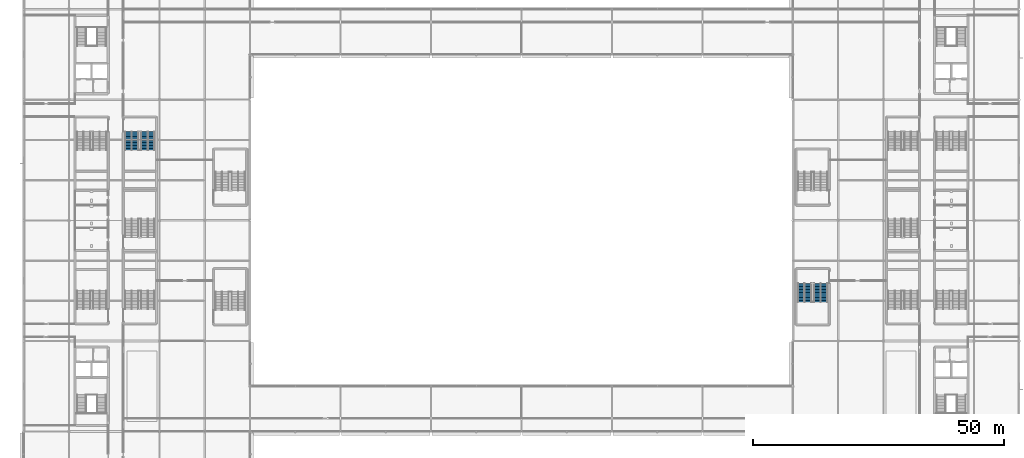
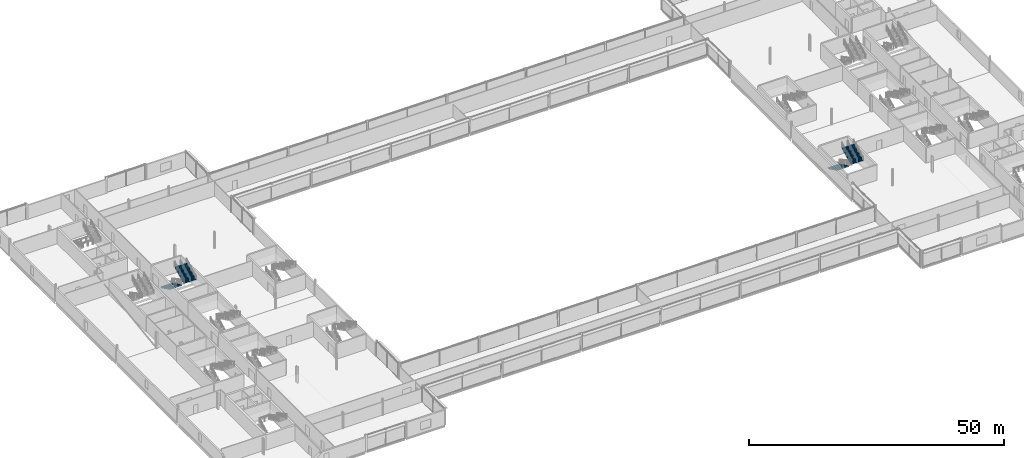
# One storey, part 83 of 96: 4 stair flights, 2 elements without a shape of their own.
"""IFC4 building model written with IfcOpenShell, lengths in metres."""

import ifcopenshell
import ifcopenshell.guid

model = None  # the IFC model being written
_history = None  # IfcOwnerHistory: only IFC2X3 demands one
_inside = {}  # id of a spatial element -> (the spatial element, [elements in it])
_under = {}  # id of a project, library or spatial element -> (it, [spatial elements below it])
_declared = {}  # id of a project -> (the project, [libraries it declares])
_typed = {}  # id of a type object -> (the type object, [elements of that type])
_made_of = {}  # id of a material, layer set ... -> (it, [elements and type objects made of it])


def new_model(schema):
    """Start an empty IFC model of exactly this schema.

    Asked for "IFC4X3", IfcOpenShell would pick the latest addendum, in which some entities
    have other attributes; the version numbers below select the first issue.
    IFC2X3 requires an IfcOwnerHistory on every rooted entity: one is made here for all.
    """
    global model, _history
    if schema == "IFC4X3":
        model = ifcopenshell.file(schema_version=(4, 3, 0, 0))
    else:
        model = ifcopenshell.file(schema=schema)
    _inside.clear()
    _under.clear()
    _declared.clear()
    _typed.clear()
    _made_of.clear()
    _history = None
    if model.schema == "IFC2X3":
        org = make("IfcOrganization", Name="unknown")
        user = make(
            "IfcPersonAndOrganization",
            ThePerson=make("IfcPerson", FamilyName="unknown"),
            TheOrganization=org,
        )
        app = make(
            "IfcApplication",
            ApplicationDeveloper=org,
            Version="unknown",
            ApplicationFullName="unknown",
            ApplicationIdentifier="unknown",
        )
        _history = make(
            "IfcOwnerHistory",
            OwningUser=user,
            OwningApplication=app,
            ChangeAction="ADDED",
            CreationDate=0,
        )
    return model


def make(cls, **values):
    """One entity of the class cls with the attributes given. An attribute that is None is left unset."""
    return model.create_entity(
        cls, **{name: value for name, value in values.items() if value is not None}
    )


def rooted(cls, **values):
    """An entity with a GlobalId (a new one), such as an element, a storey or a relation."""
    return make(cls, GlobalId=ifcopenshell.guid.new(), OwnerHistory=_history, **values)


def si_unit(unit_type, name, prefix=None):
    """IfcSIUnit, for example si_unit("LENGTHUNIT", "METRE", prefix="MILLI")."""
    return make("IfcSIUnit", UnitType=unit_type, Prefix=prefix, Name=name)


def assignment(units):
    """IfcUnitAssignment: the units of a project."""
    return None if units is None else make("IfcUnitAssignment", Units=units)


def point(xyz):
    """IfcCartesianPoint."""
    return None if xyz is None else make("IfcCartesianPoint", Coordinates=xyz)


def direction(xyz):
    """IfcDirection."""
    return None if xyz is None else make("IfcDirection", DirectionRatios=xyz)


def frame(location, z_axis=None, x_axis=None):
    """IfcAxis2Placement3D, a coordinate frame: its origin and axes. An axis left out is left unset."""
    return make(
        "IfcAxis2Placement3D",
        Location=point(location),
        Axis=direction(z_axis),
        RefDirection=direction(x_axis),
    )


def origin():
    """The frame at (0, 0, 0) with its axes left unset."""
    return frame((0.0, 0.0, 0.0))


def place(relative_to, where):
    """IfcLocalPlacement: puts the frame where relative to a parent placement (None: the world)."""
    return make(
        "IfcLocalPlacement", PlacementRelTo=relative_to, RelativePlacement=where
    )


def context(
    kind, dimensions, precision=None, world=None, true_north=None, identifier=None
):
    """IfcGeometricRepresentationContext, for example the 3D "Model" context."""
    return make(
        "IfcGeometricRepresentationContext",
        ContextIdentifier=identifier,
        ContextType=kind,
        CoordinateSpaceDimension=dimensions,
        Precision=precision,
        WorldCoordinateSystem=world,
        TrueNorth=true_north,
    )


def subcontext(parent, identifier, kind, view, scale=None):
    """IfcGeometricRepresentationSubContext, for example "Body" below "Model"."""
    return make(
        "IfcGeometricRepresentationSubContext",
        ContextIdentifier=identifier,
        ContextType=kind,
        ParentContext=parent,
        TargetScale=scale,
        TargetView=view,
    )


def project(units=None, contexts=None):
    """IfcProject with its units and contexts."""
    return rooted(
        "IfcProject",
        Name="project",
        RepresentationContexts=contexts,
        UnitsInContext=assignment(units),
    )


def spatial(cls, under=None, at=None, **own):
    """A site, building, storey or space (cls), placed at a placement, below another one or the project."""
    s = rooted(cls, ObjectPlacement=at, **own)
    if under is not None:
        _under.setdefault(under.id(), (under, []))[1].append(s)
    return s


def point_list(points):
    """IfcCartesianPointList2D or 3D."""
    cls = (
        "IfcCartesianPointList2D" if len(points[0]) == 2 else "IfcCartesianPointList3D"
    )
    return make(cls, CoordList=points)


def polygons(points, faces, closed=None, point_numbers=None):
    """IfcPolygonalFaceSet: a face is its outer loop, then its inner loops; points numbered from 1."""
    made = []
    for loops in faces:
        if len(loops) == 1:
            made.append(make("IfcIndexedPolygonalFace", CoordIndex=loops[0]))
        else:
            made.append(
                make(
                    "IfcIndexedPolygonalFaceWithVoids",
                    CoordIndex=loops[0],
                    InnerCoordIndices=loops[1:],
                )
            )
    return make(
        "IfcPolygonalFaceSet",
        Coordinates=point_list(points),
        Closed=closed,
        Faces=made,
        PnIndex=point_numbers,
    )


def shape(context_of_items, identifier, shape_type, items):
    """IfcShapeRepresentation: the items that make up one representation, for example the "Body"."""
    return make(
        "IfcShapeRepresentation",
        ContextOfItems=context_of_items,
        RepresentationIdentifier=identifier,
        RepresentationType=shape_type,
        Items=items,
    )


def material(Name=None, Category=None):
    """IfcMaterial."""
    return make("IfcMaterial", Name=Name, Category=Category)


def made_of(thing, what):
    """Note that an element or type object is made of a material, layer set ...; save() writes the relation."""
    if what is not None:
        _made_of.setdefault(what.id(), (what, []))[1].append(thing)
    return thing


def type_object(cls, material=None, **own):
    """A type object (cls), such as IfcWallType, which elements share."""
    return made_of(rooted(cls, **own), material)


def element(
    cls,
    number,
    at=None,
    inside=None,
    cuts=None,
    type_object=None,
    material=None,
    context=None,
    identifier="Body",
    shape_type=None,
    held_by="IfcProductDefinitionShape",
    body=None,
    shapes=None,
    **own,
):
    """One element of the class cls, such as IfcWall. Its Tag is "e" and its number.

    at: its placement. inside: the storey or other place that contains it. cuts: it is an
    opening in that element (IfcRelVoidsElement). A single representation is given by context,
    identifier, shape_type and body (its items); several are given by shapes. held_by: the class
    of the entity that holds the representations. save() writes the other relations.
    """
    e = rooted(cls, Tag="e%d" % number, ObjectPlacement=at, **own)
    if body is not None:
        shapes = [shape(context, identifier, shape_type, body)]
    if shapes is not None:
        e.Representation = make(held_by, Representations=shapes)
    if inside is not None:
        _inside.setdefault(inside.id(), (inside, []))[1].append(e)
    if cuts is not None:
        rooted(
            "IfcRelVoidsElement", RelatingBuildingElement=cuts, RelatedOpeningElement=e
        )
    if type_object is not None:
        _typed.setdefault(type_object.id(), (type_object, []))[1].append(e)
    return made_of(e, material)


def aggregate(whole, parts):
    """IfcRelAggregates: a whole, such as a stair, and the parts it consists of."""
    return rooted("IfcRelAggregates", RelatingObject=whole, RelatedObjects=parts)


def save(model, path):
    """Write the relations noted so far, then the file.

    IfcRelAggregates (storeys below a building ...), IfcRelContainedInSpatialStructure (elements
    in a storey), IfcRelDefinesByType, IfcRelAssociatesMaterial and IfcRelDeclares: one each for
    every whole, place, type object, material and project.
    """
    for whole, parts in _under.values():
        aggregate(whole, parts)
    for where, things in _inside.values():
        rooted(
            "IfcRelContainedInSpatialStructure",
            RelatedElements=things,
            RelatingStructure=where,
        )
    for kind, things in _typed.values():
        rooted("IfcRelDefinesByType", RelatedObjects=things, RelatingType=kind)
    for what, things in _made_of.values():
        rooted("IfcRelAssociatesMaterial", RelatedObjects=things, RelatingMaterial=what)
    for by, libraries in _declared.values():
        rooted("IfcRelDeclares", RelatingContext=by, RelatedDefinitions=libraries)
    model.write(path)


model = new_model("IFC4")

# Units and contexts
model_context = context("Model", 3, precision=1e-05, world=origin(), true_north=direction((0.0, 1.0)))
body_context = subcontext(model_context, "Body", "Model", "MODEL_VIEW")
ifc_project = project(units=[si_unit("LENGTHUNIT", "METRE"), si_unit("AREAUNIT", "SQUARE_METRE"), si_unit("VOLUMEUNIT", "CUBIC_METRE"), si_unit("PLANEANGLEUNIT", "RADIAN"), si_unit("MASSUNIT", "GRAM", prefix="KILO")], contexts=[model_context])

# Site, building, storey
site_placement = place(None, origin())
site = spatial("IfcSite", under=ifc_project, at=site_placement, CompositionType="ELEMENT")
building_placement = place(site_placement, origin())
building = spatial("IfcBuilding", under=site, at=building_placement, Name="Kisiwana Market Hall", CompositionType="ELEMENT")
storey_placement = place(building_placement, frame((0.0, 0.0, 25.5)))
storey = spatial("IfcBuildingStorey", under=building, at=storey_placement, Name="L05", CompositionType="ELEMENT", Elevation=25.5)

# Stair, stair flights
ifc_material_1 = material(Name="Concrete C32/40", Category="concrete")
stair_type = type_object("IfcStairType", Name="ST-ESC-3900", PredefinedType="TWO_STRAIGHT_RUN_STAIR", material=ifc_material_1)
stair_1_placement = place(storey_placement, origin())
stair_1 = element("IfcStair", 1, at=stair_1_placement, inside=storey, type_object=stair_type, Name="Escape stair ST-W8-L05", PredefinedType="TWO_STRAIGHT_RUN_STAIR")
ifc_material_2 = material(Name="Concrete C32/40", Category="concrete")
stair_flight_type = type_object("IfcStairFlightType", Name="SF-ESC-3900", PredefinedType="STRAIGHT", material=ifc_material_2)
stair_flight_1_placement = place(storey_placement, frame((21.489990234375, 77.639892578125, 0.0), z_axis=(0.0, 0.0, 1.0), x_axis=(0.0, -1.0, 0.0)))
stair_flight_1 = element("IfcStairFlight", 2, at=stair_flight_1_placement, type_object=stair_flight_type, Name="ST-W8-L05 flight 1", NumberOfRisers=13, NumberOfTreads=12, PredefinedType="STRAIGHT", RiserHeight=0.15, TreadLength=0.305, context=body_context, shape_type="Tessellation", body=[
    polygons([(0.0, -1.380127, 0.0), (0.0, -0.690125, 0.0), (0.0, -0.000122, 0.0), (0.0, 0.68988, 0.0), (0.0, 1.379883, 0.0), (0.0, -1.380127, 0.149902), (0.0, -0.690125, 0.149902), (0.0, -0.000122, 0.149902), (0.0, 0.68988, 0.149902), (0.0, 1.379883, 0.149902), (0.304932, -1.380127, 0.149902), (0.304932, -0.690125, 0.149902), (0.304932, -0.000122, 0.149902), (0.304932, 0.68988, 0.149902), (0.304932, 1.379883, 0.149902), (0.304932, -1.380127, 0.300049), (0.304932, -0.690125, 0.300049), (0.304932, -0.000122, 0.300049), (0.304932, 0.68988, 0.300049), (0.304932, 1.379883, 0.300049), (0.610107, -1.380127, 0.300049), (0.610107, -0.690125, 0.300049), (0.610107, -0.000122, 0.300049), (0.610107, 0.68988, 0.300049), (0.610107, 1.379883, 0.300049), (0.610107, -1.380127, 0.449951), (0.610107, -0.690125, 0.449951), (0.610107, -0.000122, 0.449951), (0.610107, 0.68988, 0.449951), (0.610107, 1.379883, 0.449951), (0.915039, -1.380127, 0.449951), (0.915039, -0.690125, 0.449951), (0.915039, -0.000122, 0.449951), (0.915039, 0.68988, 0.449951), (0.915039, 1.379883, 0.449951), (0.915039, -1.380127, 0.600098), (0.915039, -0.690125, 0.600098), (0.915039, -0.000122, 0.600098), (0.915039, 0.68988, 0.600098), (0.915039, 1.379883, 0.600098), (1.219971, -1.380127, 0.600098), (1.219971, -0.690125, 0.600098), (1.219971, -0.000122, 0.600098), (1.219971, 0.68988, 0.600098), (1.219971, 1.379883, 0.600098), (1.219971, -1.380127, 0.75), (1.219971, -0.690125, 0.75), (1.219971, -0.000122, 0.75), (1.219971, 0.68988, 0.75), (1.219971, 1.379883, 0.75), (1.524902, -1.380127, 0.75), (1.524902, -0.690125, 0.75), (1.524902, -0.000122, 0.75), (1.524902, 0.68988, 0.75), (1.524902, 1.379883, 0.75), (1.524902, -1.380127, 0.899902), (1.524902, -0.690125, 0.899902), (1.524902, -0.000122, 0.899902), (1.524902, 0.68988, 0.899902), (1.524902, 1.379883, 0.899902), (1.830078, -1.380127, 0.899902), (1.830078, -0.690125, 0.899902), (1.830078, -0.000122, 0.899902), (1.830078, 0.68988, 0.899902), (1.830078, 1.379883, 0.899902), (1.830078, -1.380127, 1.050049), (1.830078, -0.690125, 1.050049), (1.830078, -0.000122, 1.050049), (1.830078, 0.68988, 1.050049), (1.830078, 1.379883, 1.050049), (2.13501, -1.380127, 1.050049), (2.13501, -0.690125, 1.050049), (2.13501, -0.000122, 1.050049), (2.13501, 0.68988, 1.050049), (2.13501, 1.379883, 1.050049), (2.13501, -1.380127, 1.199951), (2.13501, -0.690125, 1.199951), (2.13501, -0.000122, 1.199951), (2.13501, 0.68988, 1.199951), (2.13501, 1.379883, 1.199951), (2.439941, -1.380127, 1.199951), (2.439941, -0.690125, 1.199951), (2.439941, -0.000122, 1.199951), (2.439941, 0.68988, 1.199951), (2.439941, 1.379883, 1.199951), (2.439941, -1.380127, 1.350098), (2.439941, -0.690125, 1.350098), (2.439941, -0.000122, 1.350098), (2.439941, 0.68988, 1.350098), (2.439941, 1.379883, 1.350098), (2.745117, -1.380127, 1.350098), (2.745117, -0.690125, 1.350098), (2.745117, -0.000122, 1.350098), (2.745117, 0.68988, 1.350098), (2.745117, 1.379883, 1.350098), (2.745117, -1.380127, 1.5), (2.745117, -0.690125, 1.5), (2.745117, -0.000122, 1.5), (2.745117, 0.68988, 1.5), (2.745117, 1.379883, 1.5), (3.050049, -1.380127, 1.5), (3.050049, -0.690125, 1.5), (3.050049, -0.000122, 1.5), (3.050049, 0.68988, 1.5), (3.050049, 1.379883, 1.5), (3.050049, -1.380127, 1.649902), (3.050049, -0.690125, 1.649902), (3.050049, -0.000122, 1.649902), (3.050049, 0.68988, 1.649902), (3.050049, 1.379883, 1.649902), (3.35498, -1.380127, 1.649902), (3.35498, -0.690125, 1.649902), (3.35498, -0.000122, 1.649902), (3.35498, 0.68988, 1.649902), (3.35498, 1.379883, 1.649902), (3.35498, -1.380127, 1.800049), (3.35498, -0.690125, 1.800049), (3.35498, -0.000122, 1.800049), (3.35498, 0.68988, 1.800049), (3.35498, 1.379883, 1.800049), (3.659912, -1.380127, 1.800049), (3.659912, -0.690125, 1.800049), (3.659912, -0.000122, 1.800049), (3.659912, 0.68988, 1.800049), (3.659912, 1.379883, 1.800049), (3.659912, -1.380127, 1.599365), (3.659912, -0.690125, 1.599365), (3.659912, -0.000122, 1.599365), (3.659912, 0.68988, 1.599365), (3.659912, 1.379883, 1.599365), (0.407715, -1.380127, 0.0), (0.407715, -0.690125, 0.0), (0.407715, -0.000122, 0.0), (0.407715, 0.68988, 0.0), (0.407715, 1.379883, 0.0)], [[[1, 6, 7, 2]], [[2, 7, 8, 3]], [[3, 8, 9, 4]], [[4, 9, 10, 5]], [[6, 11, 12, 7]], [[7, 12, 13, 8]], [[8, 13, 14, 9]], [[9, 14, 15, 10]], [[11, 16, 17, 12]], [[12, 17, 18, 13]], [[13, 18, 19, 14]], [[14, 19, 20, 15]], [[16, 21, 22, 17]], [[17, 22, 23, 18]], [[18, 23, 24, 19]], [[19, 24, 25, 20]], [[21, 26, 27, 22]], [[22, 27, 28, 23]], [[23, 28, 29, 24]], [[24, 29, 30, 25]], [[26, 31, 32, 27]], [[27, 32, 33, 28]], [[28, 33, 34, 29]], [[29, 34, 35, 30]], [[31, 36, 37, 32]], [[32, 37, 38, 33]], [[33, 38, 39, 34]], [[34, 39, 40, 35]], [[36, 41, 42, 37]], [[37, 42, 43, 38]], [[38, 43, 44, 39]], [[39, 44, 45, 40]], [[41, 46, 47, 42]], [[42, 47, 48, 43]], [[43, 48, 49, 44]], [[44, 49, 50, 45]], [[46, 51, 52, 47]], [[47, 52, 53, 48]], [[48, 53, 54, 49]], [[49, 54, 55, 50]], [[51, 56, 57, 52]], [[52, 57, 58, 53]], [[53, 58, 59, 54]], [[54, 59, 60, 55]], [[56, 61, 62, 57]], [[57, 62, 63, 58]], [[58, 63, 64, 59]], [[59, 64, 65, 60]], [[61, 66, 67, 62]], [[62, 67, 68, 63]], [[63, 68, 69, 64]], [[64, 69, 70, 65]], [[66, 71, 72, 67]], [[67, 72, 73, 68]], [[68, 73, 74, 69]], [[69, 74, 75, 70]], [[71, 76, 77, 72]], [[72, 77, 78, 73]], [[73, 78, 79, 74]], [[74, 79, 80, 75]], [[76, 81, 82, 77]], [[77, 82, 83, 78]], [[78, 83, 84, 79]], [[79, 84, 85, 80]], [[81, 86, 87, 82]], [[82, 87, 88, 83]], [[83, 88, 89, 84]], [[84, 89, 90, 85]], [[86, 91, 92, 87]], [[87, 92, 93, 88]], [[88, 93, 94, 89]], [[89, 94, 95, 90]], [[91, 96, 97, 92]], [[92, 97, 98, 93]], [[93, 98, 99, 94]], [[94, 99, 100, 95]], [[96, 101, 102, 97]], [[97, 102, 103, 98]], [[98, 103, 104, 99]], [[99, 104, 105, 100]], [[101, 106, 107, 102]], [[102, 107, 108, 103]], [[103, 108, 109, 104]], [[104, 109, 110, 105]], [[106, 111, 112, 107]], [[107, 112, 113, 108]], [[108, 113, 114, 109]], [[109, 114, 115, 110]], [[111, 116, 117, 112]], [[112, 117, 118, 113]], [[113, 118, 119, 114]], [[114, 119, 120, 115]], [[116, 121, 122, 117]], [[117, 122, 123, 118]], [[118, 123, 124, 119]], [[119, 124, 125, 120]], [[121, 126, 127, 122]], [[122, 127, 128, 123]], [[123, 128, 129, 124]], [[124, 129, 130, 125]], [[126, 131, 132, 127]], [[127, 132, 133, 128]], [[128, 133, 134, 129]], [[129, 134, 135, 130]], [[131, 1, 2, 132]], [[132, 2, 3, 133]], [[133, 3, 4, 134]], [[134, 4, 5, 135]], [[131, 126, 121, 116, 111, 106, 101, 96, 91, 86, 81, 76, 71, 66, 61, 56, 51, 46, 41, 36, 31, 26, 21, 16, 11, 6, 1]], [[5, 10, 15, 20, 25, 30, 35, 40, 45, 50, 55, 60, 65, 70, 75, 80, 85, 90, 95, 100, 105, 110, 115, 120, 125, 130, 135]]], closed=True),
])
stair_flight_2_placement = place(storey_placement, frame((24.7099609375, 73.97998046875, 1.949951171875), z_axis=(0.0, 0.0, 1.0), x_axis=(0.0, 1.0, 0.0)))
stair_flight_2 = element("IfcStairFlight", 3, at=stair_flight_2_placement, type_object=stair_flight_type, Name="ST-W8-L05 flight 2", NumberOfRisers=13, NumberOfTreads=12, PredefinedType="STRAIGHT", RiserHeight=0.15, TreadLength=0.305, context=body_context, shape_type="Tessellation", body=[
    polygons([(0.0, -1.380127, 0.0), (0.0, -0.690125, 0.0), (0.0, -0.000122, 0.0), (0.0, 0.68988, 0.0), (0.0, 1.379883, 0.0), (0.0, -1.380127, 0.149902), (0.0, -0.690125, 0.149902), (0.0, -0.000122, 0.149902), (0.0, 0.68988, 0.149902), (0.0, 1.379883, 0.149902), (0.304932, -1.380127, 0.149902), (0.304932, -0.690125, 0.149902), (0.304932, -0.000122, 0.149902), (0.304932, 0.68988, 0.149902), (0.304932, 1.379883, 0.149902), (0.304932, -1.380127, 0.300049), (0.304932, -0.690125, 0.300049), (0.304932, -0.000122, 0.300049), (0.304932, 0.68988, 0.300049), (0.304932, 1.379883, 0.300049), (0.610107, -1.380127, 0.300049), (0.610107, -0.690125, 0.300049), (0.610107, -0.000122, 0.300049), (0.610107, 0.68988, 0.300049), (0.610107, 1.379883, 0.300049), (0.610107, -1.380127, 0.449951), (0.610107, -0.690125, 0.449951), (0.610107, -0.000122, 0.449951), (0.610107, 0.68988, 0.449951), (0.610107, 1.379883, 0.449951), (0.915039, -1.380127, 0.449951), (0.915039, -0.690125, 0.449951), (0.915039, -0.000122, 0.449951), (0.915039, 0.68988, 0.449951), (0.915039, 1.379883, 0.449951), (0.915039, -1.380127, 0.600098), (0.915039, -0.690125, 0.600098), (0.915039, -0.000122, 0.600098), (0.915039, 0.68988, 0.600098), (0.915039, 1.379883, 0.600098), (1.219971, -1.380127, 0.600098), (1.219971, -0.690125, 0.600098), (1.219971, -0.000122, 0.600098), (1.219971, 0.68988, 0.600098), (1.219971, 1.379883, 0.600098), (1.219971, -1.380127, 0.75), (1.219971, -0.690125, 0.75), (1.219971, -0.000122, 0.75), (1.219971, 0.68988, 0.75), (1.219971, 1.379883, 0.75), (1.524902, -1.380127, 0.75), (1.524902, -0.690125, 0.75), (1.524902, -0.000122, 0.75), (1.524902, 0.68988, 0.75), (1.524902, 1.379883, 0.75), (1.524902, -1.380127, 0.899902), (1.524902, -0.690125, 0.899902), (1.524902, -0.000122, 0.899902), (1.524902, 0.68988, 0.899902), (1.524902, 1.379883, 0.899902), (1.830078, -1.380127, 0.899902), (1.830078, -0.690125, 0.899902), (1.830078, -0.000122, 0.899902), (1.830078, 0.68988, 0.899902), (1.830078, 1.379883, 0.899902), (1.830078, -1.380127, 1.050049), (1.830078, -0.690125, 1.050049), (1.830078, -0.000122, 1.050049), (1.830078, 0.68988, 1.050049), (1.830078, 1.379883, 1.050049), (2.13501, -1.380127, 1.050049), (2.13501, -0.690125, 1.050049), (2.13501, -0.000122, 1.050049), (2.13501, 0.68988, 1.050049), (2.13501, 1.379883, 1.050049), (2.13501, -1.380127, 1.199951), (2.13501, -0.690125, 1.199951), (2.13501, -0.000122, 1.199951), (2.13501, 0.68988, 1.199951), (2.13501, 1.379883, 1.199951), (2.439941, -1.380127, 1.199951), (2.439941, -0.690125, 1.199951), (2.439941, -0.000122, 1.199951), (2.439941, 0.68988, 1.199951), (2.439941, 1.379883, 1.199951), (2.439941, -1.380127, 1.350098), (2.439941, -0.690125, 1.350098), (2.439941, -0.000122, 1.350098), (2.439941, 0.68988, 1.350098), (2.439941, 1.379883, 1.350098), (2.745117, -1.380127, 1.350098), (2.745117, -0.690125, 1.350098), (2.745117, -0.000122, 1.350098), (2.745117, 0.68988, 1.350098), (2.745117, 1.379883, 1.350098), (2.745117, -1.380127, 1.5), (2.745117, -0.690125, 1.5), (2.745117, -0.000122, 1.5), (2.745117, 0.68988, 1.5), (2.745117, 1.379883, 1.5), (3.050049, -1.380127, 1.5), (3.050049, -0.690125, 1.5), (3.050049, -0.000122, 1.5), (3.050049, 0.68988, 1.5), (3.050049, 1.379883, 1.5), (3.050049, -1.380127, 1.649902), (3.050049, -0.690125, 1.649902), (3.050049, -0.000122, 1.649902), (3.050049, 0.68988, 1.649902), (3.050049, 1.379883, 1.649902), (3.35498, -1.380127, 1.649902), (3.35498, -0.690125, 1.649902), (3.35498, -0.000122, 1.649902), (3.35498, 0.68988, 1.649902), (3.35498, 1.379883, 1.649902), (3.35498, -1.380127, 1.800049), (3.35498, -0.690125, 1.800049), (3.35498, -0.000122, 1.800049), (3.35498, 0.68988, 1.800049), (3.35498, 1.379883, 1.800049), (3.659912, -1.380127, 1.800049), (3.659912, -0.690125, 1.800049), (3.659912, -0.000122, 1.800049), (3.659912, 0.68988, 1.800049), (3.659912, 1.379883, 1.800049), (3.659912, -1.380127, 1.599365), (3.659912, -0.690125, 1.599365), (3.659912, -0.000122, 1.599365), (3.659912, 0.68988, 1.599365), (3.659912, 1.379883, 1.599365), (0.407715, -1.380127, 0.0), (0.407715, -0.690125, 0.0), (0.407715, -0.000122, 0.0), (0.407715, 0.68988, 0.0), (0.407715, 1.379883, 0.0)], [[[1, 6, 7, 2]], [[2, 7, 8, 3]], [[3, 8, 9, 4]], [[4, 9, 10, 5]], [[6, 11, 12, 7]], [[7, 12, 13, 8]], [[8, 13, 14, 9]], [[9, 14, 15, 10]], [[11, 16, 17, 12]], [[12, 17, 18, 13]], [[13, 18, 19, 14]], [[14, 19, 20, 15]], [[16, 21, 22, 17]], [[17, 22, 23, 18]], [[18, 23, 24, 19]], [[19, 24, 25, 20]], [[21, 26, 27, 22]], [[22, 27, 28, 23]], [[23, 28, 29, 24]], [[24, 29, 30, 25]], [[26, 31, 32, 27]], [[27, 32, 33, 28]], [[28, 33, 34, 29]], [[29, 34, 35, 30]], [[31, 36, 37, 32]], [[32, 37, 38, 33]], [[33, 38, 39, 34]], [[34, 39, 40, 35]], [[36, 41, 42, 37]], [[37, 42, 43, 38]], [[38, 43, 44, 39]], [[39, 44, 45, 40]], [[41, 46, 47, 42]], [[42, 47, 48, 43]], [[43, 48, 49, 44]], [[44, 49, 50, 45]], [[46, 51, 52, 47]], [[47, 52, 53, 48]], [[48, 53, 54, 49]], [[49, 54, 55, 50]], [[51, 56, 57, 52]], [[52, 57, 58, 53]], [[53, 58, 59, 54]], [[54, 59, 60, 55]], [[56, 61, 62, 57]], [[57, 62, 63, 58]], [[58, 63, 64, 59]], [[59, 64, 65, 60]], [[61, 66, 67, 62]], [[62, 67, 68, 63]], [[63, 68, 69, 64]], [[64, 69, 70, 65]], [[66, 71, 72, 67]], [[67, 72, 73, 68]], [[68, 73, 74, 69]], [[69, 74, 75, 70]], [[71, 76, 77, 72]], [[72, 77, 78, 73]], [[73, 78, 79, 74]], [[74, 79, 80, 75]], [[76, 81, 82, 77]], [[77, 82, 83, 78]], [[78, 83, 84, 79]], [[79, 84, 85, 80]], [[81, 86, 87, 82]], [[82, 87, 88, 83]], [[83, 88, 89, 84]], [[84, 89, 90, 85]], [[86, 91, 92, 87]], [[87, 92, 93, 88]], [[88, 93, 94, 89]], [[89, 94, 95, 90]], [[91, 96, 97, 92]], [[92, 97, 98, 93]], [[93, 98, 99, 94]], [[94, 99, 100, 95]], [[96, 101, 102, 97]], [[97, 102, 103, 98]], [[98, 103, 104, 99]], [[99, 104, 105, 100]], [[101, 106, 107, 102]], [[102, 107, 108, 103]], [[103, 108, 109, 104]], [[104, 109, 110, 105]], [[106, 111, 112, 107]], [[107, 112, 113, 108]], [[108, 113, 114, 109]], [[109, 114, 115, 110]], [[111, 116, 117, 112]], [[112, 117, 118, 113]], [[113, 118, 119, 114]], [[114, 119, 120, 115]], [[116, 121, 122, 117]], [[117, 122, 123, 118]], [[118, 123, 124, 119]], [[119, 124, 125, 120]], [[121, 126, 127, 122]], [[122, 127, 128, 123]], [[123, 128, 129, 124]], [[124, 129, 130, 125]], [[126, 131, 132, 127]], [[127, 132, 133, 128]], [[128, 133, 134, 129]], [[129, 134, 135, 130]], [[131, 1, 2, 132]], [[132, 2, 3, 133]], [[133, 3, 4, 134]], [[134, 4, 5, 135]], [[131, 126, 121, 116, 111, 106, 101, 96, 91, 86, 81, 76, 71, 66, 61, 56, 51, 46, 41, 36, 31, 26, 21, 16, 11, 6, 1]], [[5, 10, 15, 20, 25, 30, 35, 40, 45, 50, 55, 60, 65, 70, 75, 80, 85, 90, 95, 100, 105, 110, 115, 120, 125, 130, 135]]], closed=True),
])
aggregate(stair_1, [stair_flight_1, stair_flight_2])

stair_2_placement = place(storey_placement, origin())
stair_2 = element("IfcStair", 4, at=stair_2_placement, inside=storey, type_object=stair_type, Name="Escape stair ST-E9-L05", PredefinedType="TWO_STRAIGHT_RUN_STAIR")
stair_flight_3_placement = place(storey_placement, frame((155.320068359375, 47.43994140625, 0.0), z_axis=(0.0, 0.0, 1.0), x_axis=(0.0, -1.0, 0.0)))
stair_flight_3 = element("IfcStairFlight", 5, at=stair_flight_3_placement, type_object=stair_flight_type, Name="ST-E9-L05 flight 1", NumberOfRisers=13, NumberOfTreads=12, PredefinedType="STRAIGHT", RiserHeight=0.15, TreadLength=0.305, context=body_context, shape_type="Tessellation", body=[
    polygons([(0.0, -1.380127, 0.0), (0.0, -0.690125, 0.0), (0.0, -0.000122, 0.0), (0.0, 0.68988, 0.0), (0.0, 1.379883, 0.0), (0.0, -1.380127, 0.149902), (0.0, -0.690125, 0.149902), (0.0, -0.000122, 0.149902), (0.0, 0.68988, 0.149902), (0.0, 1.379883, 0.149902), (0.304932, -1.380127, 0.149902), (0.304932, -0.690125, 0.149902), (0.304932, -0.000122, 0.149902), (0.304932, 0.68988, 0.149902), (0.304932, 1.379883, 0.149902), (0.304932, -1.380127, 0.300049), (0.304932, -0.690125, 0.300049), (0.304932, -0.000122, 0.300049), (0.304932, 0.68988, 0.300049), (0.304932, 1.379883, 0.300049), (0.610107, -1.380127, 0.300049), (0.610107, -0.690125, 0.300049), (0.610107, -0.000122, 0.300049), (0.610107, 0.68988, 0.300049), (0.610107, 1.379883, 0.300049), (0.610107, -1.380127, 0.449951), (0.610107, -0.690125, 0.449951), (0.610107, -0.000122, 0.449951), (0.610107, 0.68988, 0.449951), (0.610107, 1.379883, 0.449951), (0.915039, -1.380127, 0.449951), (0.915039, -0.690125, 0.449951), (0.915039, -0.000122, 0.449951), (0.915039, 0.68988, 0.449951), (0.915039, 1.379883, 0.449951), (0.915039, -1.380127, 0.600098), (0.915039, -0.690125, 0.600098), (0.915039, -0.000122, 0.600098), (0.915039, 0.68988, 0.600098), (0.915039, 1.379883, 0.600098), (1.219971, -1.380127, 0.600098), (1.219971, -0.690125, 0.600098), (1.219971, -0.000122, 0.600098), (1.219971, 0.68988, 0.600098), (1.219971, 1.379883, 0.600098), (1.219971, -1.380127, 0.75), (1.219971, -0.690125, 0.75), (1.219971, -0.000122, 0.75), (1.219971, 0.68988, 0.75), (1.219971, 1.379883, 0.75), (1.524902, -1.380127, 0.75), (1.524902, -0.690125, 0.75), (1.524902, -0.000122, 0.75), (1.524902, 0.68988, 0.75), (1.524902, 1.379883, 0.75), (1.524902, -1.380127, 0.899902), (1.524902, -0.690125, 0.899902), (1.524902, -0.000122, 0.899902), (1.524902, 0.68988, 0.899902), (1.524902, 1.379883, 0.899902), (1.830078, -1.380127, 0.899902), (1.830078, -0.690125, 0.899902), (1.830078, -0.000122, 0.899902), (1.830078, 0.68988, 0.899902), (1.830078, 1.379883, 0.899902), (1.830078, -1.380127, 1.050049), (1.830078, -0.690125, 1.050049), (1.830078, -0.000122, 1.050049), (1.830078, 0.68988, 1.050049), (1.830078, 1.379883, 1.050049), (2.13501, -1.380127, 1.050049), (2.13501, -0.690125, 1.050049), (2.13501, -0.000122, 1.050049), (2.13501, 0.68988, 1.050049), (2.13501, 1.379883, 1.050049), (2.13501, -1.380127, 1.199951), (2.13501, -0.690125, 1.199951), (2.13501, -0.000122, 1.199951), (2.13501, 0.68988, 1.199951), (2.13501, 1.379883, 1.199951), (2.439941, -1.380127, 1.199951), (2.439941, -0.690125, 1.199951), (2.439941, -0.000122, 1.199951), (2.439941, 0.68988, 1.199951), (2.439941, 1.379883, 1.199951), (2.439941, -1.380127, 1.350098), (2.439941, -0.690125, 1.350098), (2.439941, -0.000122, 1.350098), (2.439941, 0.68988, 1.350098), (2.439941, 1.379883, 1.350098), (2.745117, -1.380127, 1.350098), (2.745117, -0.690125, 1.350098), (2.745117, -0.000122, 1.350098), (2.745117, 0.68988, 1.350098), (2.745117, 1.379883, 1.350098), (2.745117, -1.380127, 1.5), (2.745117, -0.690125, 1.5), (2.745117, -0.000122, 1.5), (2.745117, 0.68988, 1.5), (2.745117, 1.379883, 1.5), (3.050049, -1.380127, 1.5), (3.050049, -0.690125, 1.5), (3.050049, -0.000122, 1.5), (3.050049, 0.68988, 1.5), (3.050049, 1.379883, 1.5), (3.050049, -1.380127, 1.649902), (3.050049, -0.690125, 1.649902), (3.050049, -0.000122, 1.649902), (3.050049, 0.68988, 1.649902), (3.050049, 1.379883, 1.649902), (3.35498, -1.380127, 1.649902), (3.35498, -0.690125, 1.649902), (3.35498, -0.000122, 1.649902), (3.35498, 0.68988, 1.649902), (3.35498, 1.379883, 1.649902), (3.35498, -1.380127, 1.800049), (3.35498, -0.690125, 1.800049), (3.35498, -0.000122, 1.800049), (3.35498, 0.68988, 1.800049), (3.35498, 1.379883, 1.800049), (3.659912, -1.380127, 1.800049), (3.659912, -0.690125, 1.800049), (3.659912, -0.000122, 1.800049), (3.659912, 0.68988, 1.800049), (3.659912, 1.379883, 1.800049), (3.659912, -1.380127, 1.599365), (3.659912, -0.690125, 1.599365), (3.659912, -0.000122, 1.599365), (3.659912, 0.68988, 1.599365), (3.659912, 1.379883, 1.599365), (0.407715, -1.380127, 0.0), (0.407715, -0.690125, 0.0), (0.407715, -0.000122, 0.0), (0.407715, 0.68988, 0.0), (0.407715, 1.379883, 0.0)], [[[1, 6, 7, 2]], [[2, 7, 8, 3]], [[3, 8, 9, 4]], [[4, 9, 10, 5]], [[6, 11, 12, 7]], [[7, 12, 13, 8]], [[8, 13, 14, 9]], [[9, 14, 15, 10]], [[11, 16, 17, 12]], [[12, 17, 18, 13]], [[13, 18, 19, 14]], [[14, 19, 20, 15]], [[16, 21, 22, 17]], [[17, 22, 23, 18]], [[18, 23, 24, 19]], [[19, 24, 25, 20]], [[21, 26, 27, 22]], [[22, 27, 28, 23]], [[23, 28, 29, 24]], [[24, 29, 30, 25]], [[26, 31, 32, 27]], [[27, 32, 33, 28]], [[28, 33, 34, 29]], [[29, 34, 35, 30]], [[31, 36, 37, 32]], [[32, 37, 38, 33]], [[33, 38, 39, 34]], [[34, 39, 40, 35]], [[36, 41, 42, 37]], [[37, 42, 43, 38]], [[38, 43, 44, 39]], [[39, 44, 45, 40]], [[41, 46, 47, 42]], [[42, 47, 48, 43]], [[43, 48, 49, 44]], [[44, 49, 50, 45]], [[46, 51, 52, 47]], [[47, 52, 53, 48]], [[48, 53, 54, 49]], [[49, 54, 55, 50]], [[51, 56, 57, 52]], [[52, 57, 58, 53]], [[53, 58, 59, 54]], [[54, 59, 60, 55]], [[56, 61, 62, 57]], [[57, 62, 63, 58]], [[58, 63, 64, 59]], [[59, 64, 65, 60]], [[61, 66, 67, 62]], [[62, 67, 68, 63]], [[63, 68, 69, 64]], [[64, 69, 70, 65]], [[66, 71, 72, 67]], [[67, 72, 73, 68]], [[68, 73, 74, 69]], [[69, 74, 75, 70]], [[71, 76, 77, 72]], [[72, 77, 78, 73]], [[73, 78, 79, 74]], [[74, 79, 80, 75]], [[76, 81, 82, 77]], [[77, 82, 83, 78]], [[78, 83, 84, 79]], [[79, 84, 85, 80]], [[81, 86, 87, 82]], [[82, 87, 88, 83]], [[83, 88, 89, 84]], [[84, 89, 90, 85]], [[86, 91, 92, 87]], [[87, 92, 93, 88]], [[88, 93, 94, 89]], [[89, 94, 95, 90]], [[91, 96, 97, 92]], [[92, 97, 98, 93]], [[93, 98, 99, 94]], [[94, 99, 100, 95]], [[96, 101, 102, 97]], [[97, 102, 103, 98]], [[98, 103, 104, 99]], [[99, 104, 105, 100]], [[101, 106, 107, 102]], [[102, 107, 108, 103]], [[103, 108, 109, 104]], [[104, 109, 110, 105]], [[106, 111, 112, 107]], [[107, 112, 113, 108]], [[108, 113, 114, 109]], [[109, 114, 115, 110]], [[111, 116, 117, 112]], [[112, 117, 118, 113]], [[113, 118, 119, 114]], [[114, 119, 120, 115]], [[116, 121, 122, 117]], [[117, 122, 123, 118]], [[118, 123, 124, 119]], [[119, 124, 125, 120]], [[121, 126, 127, 122]], [[122, 127, 128, 123]], [[123, 128, 129, 124]], [[124, 129, 130, 125]], [[126, 131, 132, 127]], [[127, 132, 133, 128]], [[128, 133, 134, 129]], [[129, 134, 135, 130]], [[131, 1, 2, 132]], [[132, 2, 3, 133]], [[133, 3, 4, 134]], [[134, 4, 5, 135]], [[131, 126, 121, 116, 111, 106, 101, 96, 91, 86, 81, 76, 71, 66, 61, 56, 51, 46, 41, 36, 31, 26, 21, 16, 11, 6, 1]], [[5, 10, 15, 20, 25, 30, 35, 40, 45, 50, 55, 60, 65, 70, 75, 80, 85, 90, 95, 100, 105, 110, 115, 120, 125, 130, 135]]], closed=True),
])
stair_flight_4_placement = place(storey_placement, frame((158.5400390625, 43.780029296875, 1.949951171875), z_axis=(0.0, 0.0, 1.0), x_axis=(0.0, 1.0, 0.0)))
stair_flight_4 = element("IfcStairFlight", 6, at=stair_flight_4_placement, type_object=stair_flight_type, Name="ST-E9-L05 flight 2", NumberOfRisers=13, NumberOfTreads=12, PredefinedType="STRAIGHT", RiserHeight=0.15, TreadLength=0.305, context=body_context, shape_type="Tessellation", body=[
    polygons([(0.0, -1.380127, 0.0), (0.0, -0.690125, 0.0), (0.0, -0.000122, 0.0), (0.0, 0.68988, 0.0), (0.0, 1.379883, 0.0), (0.0, -1.380127, 0.149902), (0.0, -0.690125, 0.149902), (0.0, -0.000122, 0.149902), (0.0, 0.68988, 0.149902), (0.0, 1.379883, 0.149902), (0.304932, -1.380127, 0.149902), (0.304932, -0.690125, 0.149902), (0.304932, -0.000122, 0.149902), (0.304932, 0.68988, 0.149902), (0.304932, 1.379883, 0.149902), (0.304932, -1.380127, 0.300049), (0.304932, -0.690125, 0.300049), (0.304932, -0.000122, 0.300049), (0.304932, 0.68988, 0.300049), (0.304932, 1.379883, 0.300049), (0.610107, -1.380127, 0.300049), (0.610107, -0.690125, 0.300049), (0.610107, -0.000122, 0.300049), (0.610107, 0.68988, 0.300049), (0.610107, 1.379883, 0.300049), (0.610107, -1.380127, 0.449951), (0.610107, -0.690125, 0.449951), (0.610107, -0.000122, 0.449951), (0.610107, 0.68988, 0.449951), (0.610107, 1.379883, 0.449951), (0.915039, -1.380127, 0.449951), (0.915039, -0.690125, 0.449951), (0.915039, -0.000122, 0.449951), (0.915039, 0.68988, 0.449951), (0.915039, 1.379883, 0.449951), (0.915039, -1.380127, 0.600098), (0.915039, -0.690125, 0.600098), (0.915039, -0.000122, 0.600098), (0.915039, 0.68988, 0.600098), (0.915039, 1.379883, 0.600098), (1.219971, -1.380127, 0.600098), (1.219971, -0.690125, 0.600098), (1.219971, -0.000122, 0.600098), (1.219971, 0.68988, 0.600098), (1.219971, 1.379883, 0.600098), (1.219971, -1.380127, 0.75), (1.219971, -0.690125, 0.75), (1.219971, -0.000122, 0.75), (1.219971, 0.68988, 0.75), (1.219971, 1.379883, 0.75), (1.524902, -1.380127, 0.75), (1.524902, -0.690125, 0.75), (1.524902, -0.000122, 0.75), (1.524902, 0.68988, 0.75), (1.524902, 1.379883, 0.75), (1.524902, -1.380127, 0.899902), (1.524902, -0.690125, 0.899902), (1.524902, -0.000122, 0.899902), (1.524902, 0.68988, 0.899902), (1.524902, 1.379883, 0.899902), (1.830078, -1.380127, 0.899902), (1.830078, -0.690125, 0.899902), (1.830078, -0.000122, 0.899902), (1.830078, 0.68988, 0.899902), (1.830078, 1.379883, 0.899902), (1.830078, -1.380127, 1.050049), (1.830078, -0.690125, 1.050049), (1.830078, -0.000122, 1.050049), (1.830078, 0.68988, 1.050049), (1.830078, 1.379883, 1.050049), (2.13501, -1.380127, 1.050049), (2.13501, -0.690125, 1.050049), (2.13501, -0.000122, 1.050049), (2.13501, 0.68988, 1.050049), (2.13501, 1.379883, 1.050049), (2.13501, -1.380127, 1.199951), (2.13501, -0.690125, 1.199951), (2.13501, -0.000122, 1.199951), (2.13501, 0.68988, 1.199951), (2.13501, 1.379883, 1.199951), (2.439941, -1.380127, 1.199951), (2.439941, -0.690125, 1.199951), (2.439941, -0.000122, 1.199951), (2.439941, 0.68988, 1.199951), (2.439941, 1.379883, 1.199951), (2.439941, -1.380127, 1.350098), (2.439941, -0.690125, 1.350098), (2.439941, -0.000122, 1.350098), (2.439941, 0.68988, 1.350098), (2.439941, 1.379883, 1.350098), (2.745117, -1.380127, 1.350098), (2.745117, -0.690125, 1.350098), (2.745117, -0.000122, 1.350098), (2.745117, 0.68988, 1.350098), (2.745117, 1.379883, 1.350098), (2.745117, -1.380127, 1.5), (2.745117, -0.690125, 1.5), (2.745117, -0.000122, 1.5), (2.745117, 0.68988, 1.5), (2.745117, 1.379883, 1.5), (3.050049, -1.380127, 1.5), (3.050049, -0.690125, 1.5), (3.050049, -0.000122, 1.5), (3.050049, 0.68988, 1.5), (3.050049, 1.379883, 1.5), (3.050049, -1.380127, 1.649902), (3.050049, -0.690125, 1.649902), (3.050049, -0.000122, 1.649902), (3.050049, 0.68988, 1.649902), (3.050049, 1.379883, 1.649902), (3.35498, -1.380127, 1.649902), (3.35498, -0.690125, 1.649902), (3.35498, -0.000122, 1.649902), (3.35498, 0.68988, 1.649902), (3.35498, 1.379883, 1.649902), (3.35498, -1.380127, 1.800049), (3.35498, -0.690125, 1.800049), (3.35498, -0.000122, 1.800049), (3.35498, 0.68988, 1.800049), (3.35498, 1.379883, 1.800049), (3.659912, -1.380127, 1.800049), (3.659912, -0.690125, 1.800049), (3.659912, -0.000122, 1.800049), (3.659912, 0.68988, 1.800049), (3.659912, 1.379883, 1.800049), (3.659912, -1.380127, 1.599365), (3.659912, -0.690125, 1.599365), (3.659912, -0.000122, 1.599365), (3.659912, 0.68988, 1.599365), (3.659912, 1.379883, 1.599365), (0.407715, -1.380127, 0.0), (0.407715, -0.690125, 0.0), (0.407715, -0.000122, 0.0), (0.407715, 0.68988, 0.0), (0.407715, 1.379883, 0.0)], [[[1, 6, 7, 2]], [[2, 7, 8, 3]], [[3, 8, 9, 4]], [[4, 9, 10, 5]], [[6, 11, 12, 7]], [[7, 12, 13, 8]], [[8, 13, 14, 9]], [[9, 14, 15, 10]], [[11, 16, 17, 12]], [[12, 17, 18, 13]], [[13, 18, 19, 14]], [[14, 19, 20, 15]], [[16, 21, 22, 17]], [[17, 22, 23, 18]], [[18, 23, 24, 19]], [[19, 24, 25, 20]], [[21, 26, 27, 22]], [[22, 27, 28, 23]], [[23, 28, 29, 24]], [[24, 29, 30, 25]], [[26, 31, 32, 27]], [[27, 32, 33, 28]], [[28, 33, 34, 29]], [[29, 34, 35, 30]], [[31, 36, 37, 32]], [[32, 37, 38, 33]], [[33, 38, 39, 34]], [[34, 39, 40, 35]], [[36, 41, 42, 37]], [[37, 42, 43, 38]], [[38, 43, 44, 39]], [[39, 44, 45, 40]], [[41, 46, 47, 42]], [[42, 47, 48, 43]], [[43, 48, 49, 44]], [[44, 49, 50, 45]], [[46, 51, 52, 47]], [[47, 52, 53, 48]], [[48, 53, 54, 49]], [[49, 54, 55, 50]], [[51, 56, 57, 52]], [[52, 57, 58, 53]], [[53, 58, 59, 54]], [[54, 59, 60, 55]], [[56, 61, 62, 57]], [[57, 62, 63, 58]], [[58, 63, 64, 59]], [[59, 64, 65, 60]], [[61, 66, 67, 62]], [[62, 67, 68, 63]], [[63, 68, 69, 64]], [[64, 69, 70, 65]], [[66, 71, 72, 67]], [[67, 72, 73, 68]], [[68, 73, 74, 69]], [[69, 74, 75, 70]], [[71, 76, 77, 72]], [[72, 77, 78, 73]], [[73, 78, 79, 74]], [[74, 79, 80, 75]], [[76, 81, 82, 77]], [[77, 82, 83, 78]], [[78, 83, 84, 79]], [[79, 84, 85, 80]], [[81, 86, 87, 82]], [[82, 87, 88, 83]], [[83, 88, 89, 84]], [[84, 89, 90, 85]], [[86, 91, 92, 87]], [[87, 92, 93, 88]], [[88, 93, 94, 89]], [[89, 94, 95, 90]], [[91, 96, 97, 92]], [[92, 97, 98, 93]], [[93, 98, 99, 94]], [[94, 99, 100, 95]], [[96, 101, 102, 97]], [[97, 102, 103, 98]], [[98, 103, 104, 99]], [[99, 104, 105, 100]], [[101, 106, 107, 102]], [[102, 107, 108, 103]], [[103, 108, 109, 104]], [[104, 109, 110, 105]], [[106, 111, 112, 107]], [[107, 112, 113, 108]], [[108, 113, 114, 109]], [[109, 114, 115, 110]], [[111, 116, 117, 112]], [[112, 117, 118, 113]], [[113, 118, 119, 114]], [[114, 119, 120, 115]], [[116, 121, 122, 117]], [[117, 122, 123, 118]], [[118, 123, 124, 119]], [[119, 124, 125, 120]], [[121, 126, 127, 122]], [[122, 127, 128, 123]], [[123, 128, 129, 124]], [[124, 129, 130, 125]], [[126, 131, 132, 127]], [[127, 132, 133, 128]], [[128, 133, 134, 129]], [[129, 134, 135, 130]], [[131, 1, 2, 132]], [[132, 2, 3, 133]], [[133, 3, 4, 134]], [[134, 4, 5, 135]], [[131, 126, 121, 116, 111, 106, 101, 96, 91, 86, 81, 76, 71, 66, 61, 56, 51, 46, 41, 36, 31, 26, 21, 16, 11, 6, 1]], [[5, 10, 15, 20, 25, 30, 35, 40, 45, 50, 55, 60, 65, 70, 75, 80, 85, 90, 95, 100, 105, 110, 115, 120, 125, 130, 135]]], closed=True),
])
aggregate(stair_2, [stair_flight_3, stair_flight_4])

save(model, "model.ifc")
